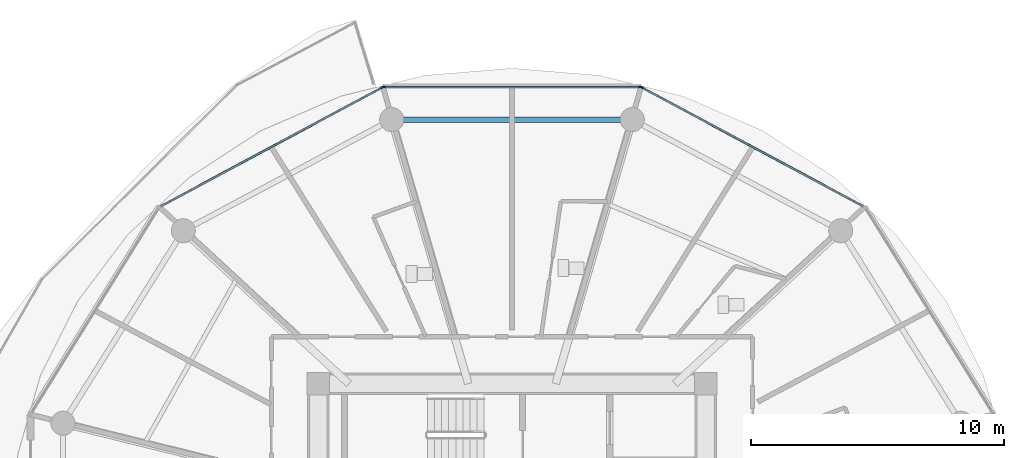
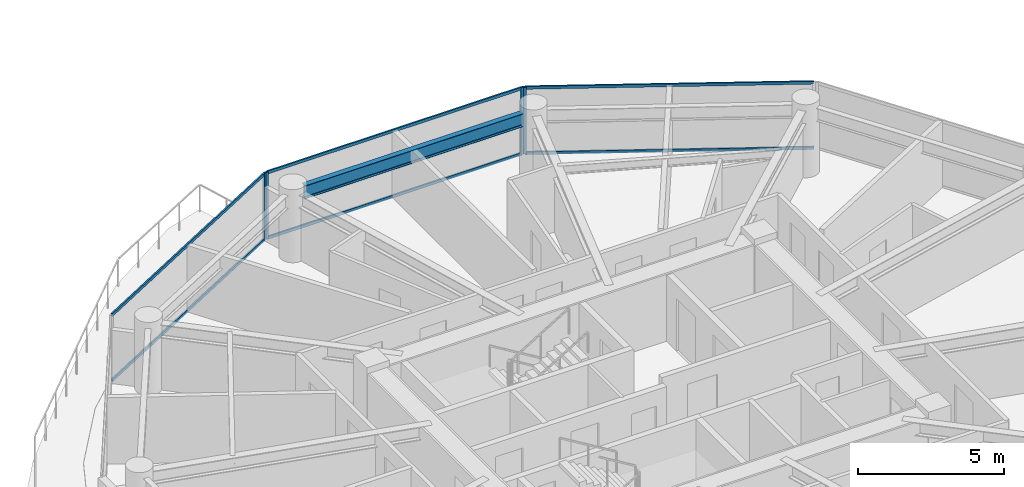
# One storey, part 9 of 27: 10 members, 1 beam, 3 elements without a shape of their own.
"""IFC4 building model written with IfcOpenShell, lengths in metres."""

import ifcopenshell
import ifcopenshell.guid

model = None  # the IFC model being written
_history = None  # IfcOwnerHistory: only IFC2X3 demands one
_inside = {}  # id of a spatial element -> (the spatial element, [elements in it])
_under = {}  # id of a project, library or spatial element -> (it, [spatial elements below it])
_declared = {}  # id of a project -> (the project, [libraries it declares])
_typed = {}  # id of a type object -> (the type object, [elements of that type])
_made_of = {}  # id of a material, layer set ... -> (it, [elements and type objects made of it])


def new_model(schema):
    """Start an empty IFC model of exactly this schema.

    Asked for "IFC4X3", IfcOpenShell would pick the latest addendum, in which some entities
    have other attributes; the version numbers below select the first issue.
    IFC2X3 requires an IfcOwnerHistory on every rooted entity: one is made here for all.
    """
    global model, _history
    if schema == "IFC4X3":
        model = ifcopenshell.file(schema_version=(4, 3, 0, 0))
    else:
        model = ifcopenshell.file(schema=schema)
    _inside.clear()
    _under.clear()
    _declared.clear()
    _typed.clear()
    _made_of.clear()
    _history = None
    if model.schema == "IFC2X3":
        org = make("IfcOrganization", Name="unknown")
        user = make(
            "IfcPersonAndOrganization",
            ThePerson=make("IfcPerson", FamilyName="unknown"),
            TheOrganization=org,
        )
        app = make(
            "IfcApplication",
            ApplicationDeveloper=org,
            Version="unknown",
            ApplicationFullName="unknown",
            ApplicationIdentifier="unknown",
        )
        _history = make(
            "IfcOwnerHistory",
            OwningUser=user,
            OwningApplication=app,
            ChangeAction="ADDED",
            CreationDate=0,
        )
    return model


def make(cls, **values):
    """One entity of the class cls with the attributes given. An attribute that is None is left unset."""
    return model.create_entity(
        cls, **{name: value for name, value in values.items() if value is not None}
    )


def rooted(cls, **values):
    """An entity with a GlobalId (a new one), such as an element, a storey or a relation."""
    return make(cls, GlobalId=ifcopenshell.guid.new(), OwnerHistory=_history, **values)


def si_unit(unit_type, name, prefix=None):
    """IfcSIUnit, for example si_unit("LENGTHUNIT", "METRE", prefix="MILLI")."""
    return make("IfcSIUnit", UnitType=unit_type, Prefix=prefix, Name=name)


def assignment(units):
    """IfcUnitAssignment: the units of a project."""
    return None if units is None else make("IfcUnitAssignment", Units=units)


def point(xyz):
    """IfcCartesianPoint."""
    return None if xyz is None else make("IfcCartesianPoint", Coordinates=xyz)


def direction(xyz):
    """IfcDirection."""
    return None if xyz is None else make("IfcDirection", DirectionRatios=xyz)


def frame(location, z_axis=None, x_axis=None):
    """IfcAxis2Placement3D, a coordinate frame: its origin and axes. An axis left out is left unset."""
    return make(
        "IfcAxis2Placement3D",
        Location=point(location),
        Axis=direction(z_axis),
        RefDirection=direction(x_axis),
    )


def frame_2d(location, x_axis=None):
    """IfcAxis2Placement2D, a coordinate frame in the plane: its origin and x axis."""
    return make(
        "IfcAxis2Placement2D", Location=point(location), RefDirection=direction(x_axis)
    )


def origin():
    """The frame at (0, 0, 0) with its axes left unset."""
    return frame((0.0, 0.0, 0.0))


def origin_2d():
    """The frame at (0, 0) in the plane with its x axis left unset."""
    return frame_2d((0.0, 0.0))


def place(relative_to, where):
    """IfcLocalPlacement: puts the frame where relative to a parent placement (None: the world)."""
    return make(
        "IfcLocalPlacement", PlacementRelTo=relative_to, RelativePlacement=where
    )


def context(
    kind, dimensions, precision=None, world=None, true_north=None, identifier=None
):
    """IfcGeometricRepresentationContext, for example the 3D "Model" context."""
    return make(
        "IfcGeometricRepresentationContext",
        ContextIdentifier=identifier,
        ContextType=kind,
        CoordinateSpaceDimension=dimensions,
        Precision=precision,
        WorldCoordinateSystem=world,
        TrueNorth=true_north,
    )


def subcontext(parent, identifier, kind, view, scale=None):
    """IfcGeometricRepresentationSubContext, for example "Body" below "Model"."""
    return make(
        "IfcGeometricRepresentationSubContext",
        ContextIdentifier=identifier,
        ContextType=kind,
        ParentContext=parent,
        TargetScale=scale,
        TargetView=view,
    )


def project(units=None, contexts=None):
    """IfcProject with its units and contexts."""
    return rooted(
        "IfcProject",
        Name="project",
        RepresentationContexts=contexts,
        UnitsInContext=assignment(units),
    )


def spatial(cls, under=None, at=None, **own):
    """A site, building, storey or space (cls), placed at a placement, below another one or the project."""
    s = rooted(cls, ObjectPlacement=at, **own)
    if under is not None:
        _under.setdefault(under.id(), (under, []))[1].append(s)
    return s


def profile(cls, at=None, kind="AREA", **sizes):
    """A parametric profile (cls). Its sizes go by their IFC names, for example OverallWidth=200.0."""
    return make(cls, ProfileType=kind, Position=at, **sizes)


def rectangle(**sizes):
    """IfcRectangleProfileDef."""
    return profile("IfcRectangleProfileDef", **sizes)


def i_section(**sizes):
    """IfcIShapeProfileDef."""
    return profile("IfcIShapeProfileDef", **sizes)


def extrude(swept, where, along, depth):
    """IfcExtrudedAreaSolid: the profile swept, set in the frame where, extruded along a direction by depth."""
    return make(
        "IfcExtrudedAreaSolid",
        SweptArea=swept,
        Position=where,
        ExtrudedDirection=direction(along),
        Depth=depth,
    )


def shape(context_of_items, identifier, shape_type, items):
    """IfcShapeRepresentation: the items that make up one representation, for example the "Body"."""
    return make(
        "IfcShapeRepresentation",
        ContextOfItems=context_of_items,
        RepresentationIdentifier=identifier,
        RepresentationType=shape_type,
        Items=items,
    )


def source(mapping_origin, context_of_items, identifier, shape_type, items):
    """IfcRepresentationMap: a shape defined once, which mapped items show again and again."""
    return make(
        "IfcRepresentationMap",
        MappingOrigin=mapping_origin,
        MappedRepresentation=shape(context_of_items, identifier, shape_type, items),
    )


def transform(
    local_origin,
    x_axis=None,
    y_axis=None,
    z_axis=None,
    scale=None,
    scale2=None,
    scale3=None,
    uniform=True,
):
    """IfcCartesianTransformationOperator3D, or its non-uniform kind. x_axis, y_axis, z_axis: its Axis1, 2, 3."""
    if uniform:
        return make(
            "IfcCartesianTransformationOperator3D",
            Axis1=direction(x_axis),
            Axis2=direction(y_axis),
            LocalOrigin=point(local_origin),
            Scale=scale,
            Axis3=direction(z_axis),
        )
    return make(
        "IfcCartesianTransformationOperator3DnonUniform",
        Axis1=direction(x_axis),
        Axis2=direction(y_axis),
        LocalOrigin=point(local_origin),
        Scale=scale,
        Axis3=direction(z_axis),
        Scale2=scale2,
        Scale3=scale3,
    )


def mapped(mapping_source, mapping_target):
    """IfcMappedItem: shows the shape of a source again, moved by a transform."""
    return make(
        "IfcMappedItem", MappingSource=mapping_source, MappingTarget=mapping_target
    )


def material(Name=None, Category=None):
    """IfcMaterial."""
    return make("IfcMaterial", Name=Name, Category=Category)


def layer(
    of_material, thickness, ventilated=None, Name=None, Category=None, Priority=None
):
    """IfcMaterialLayer: one layer of a wall or slab, of a material (None: an air gap)."""
    return make(
        "IfcMaterialLayer",
        Material=of_material,
        LayerThickness=thickness,
        IsVentilated=ventilated,
        Name=Name,
        Category=Category,
        Priority=Priority,
    )


def layer_set(layers, Name=None):
    """IfcMaterialLayerSet."""
    return make("IfcMaterialLayerSet", MaterialLayers=layers, LayerSetName=Name)


def material_profile(
    of_material, cross_section, Name=None, Category=None, Priority=None
):
    """IfcMaterialProfile: a cross section and its material."""
    return make(
        "IfcMaterialProfile",
        Name=Name,
        Material=of_material,
        Profile=cross_section,
        Priority=Priority,
        Category=Category,
    )


def profile_set(profiles, Name=None, composite=None):
    """IfcMaterialProfileSet."""
    return make(
        "IfcMaterialProfileSet",
        Name=Name,
        MaterialProfiles=profiles,
        CompositeProfile=composite,
    )


def made_of(thing, what):
    """Note that an element or type object is made of a material, layer set ...; save() writes the relation."""
    if what is not None:
        _made_of.setdefault(what.id(), (what, []))[1].append(thing)
    return thing


def type_object(cls, material=None, **own):
    """A type object (cls), such as IfcWallType, which elements share."""
    return made_of(rooted(cls, **own), material)


def type_shapes(of_type, sources):
    """Give a type object the sources (RepresentationMaps) that its elements show as mapped items."""
    of_type.RepresentationMaps = sources


def element(
    cls,
    number,
    at=None,
    inside=None,
    cuts=None,
    type_object=None,
    material=None,
    context=None,
    identifier="Body",
    shape_type=None,
    held_by="IfcProductDefinitionShape",
    body=None,
    shapes=None,
    **own,
):
    """One element of the class cls, such as IfcWall. Its Tag is "e" and its number.

    at: its placement. inside: the storey or other place that contains it. cuts: it is an
    opening in that element (IfcRelVoidsElement). A single representation is given by context,
    identifier, shape_type and body (its items); several are given by shapes. held_by: the class
    of the entity that holds the representations. save() writes the other relations.
    """
    e = rooted(cls, Tag="e%d" % number, ObjectPlacement=at, **own)
    if body is not None:
        shapes = [shape(context, identifier, shape_type, body)]
    if shapes is not None:
        e.Representation = make(held_by, Representations=shapes)
    if inside is not None:
        _inside.setdefault(inside.id(), (inside, []))[1].append(e)
    if cuts is not None:
        rooted(
            "IfcRelVoidsElement", RelatingBuildingElement=cuts, RelatedOpeningElement=e
        )
    if type_object is not None:
        _typed.setdefault(type_object.id(), (type_object, []))[1].append(e)
    return made_of(e, material)


def aggregate(whole, parts):
    """IfcRelAggregates: a whole, such as a stair, and the parts it consists of."""
    return rooted("IfcRelAggregates", RelatingObject=whole, RelatedObjects=parts)


def save(model, path):
    """Write the relations noted so far, then the file.

    IfcRelAggregates (storeys below a building ...), IfcRelContainedInSpatialStructure (elements
    in a storey), IfcRelDefinesByType, IfcRelAssociatesMaterial and IfcRelDeclares: one each for
    every whole, place, type object, material and project.
    """
    for whole, parts in _under.values():
        aggregate(whole, parts)
    for where, things in _inside.values():
        rooted(
            "IfcRelContainedInSpatialStructure",
            RelatedElements=things,
            RelatingStructure=where,
        )
    for kind, things in _typed.values():
        rooted("IfcRelDefinesByType", RelatedObjects=things, RelatingType=kind)
    for what, things in _made_of.values():
        rooted("IfcRelAssociatesMaterial", RelatedObjects=things, RelatingMaterial=what)
    for by, libraries in _declared.values():
        rooted("IfcRelDeclares", RelatingContext=by, RelatedDefinitions=libraries)
    model.write(path)


model = new_model("IFC4")

# Units and contexts
model_context = context("Model", 3, precision=1e-05, world=origin(), true_north=direction((0.0, 1.0)))
body_context = subcontext(model_context, "Body", "Model", "MODEL_VIEW")
ifc_project = project(units=[si_unit("LENGTHUNIT", "METRE"), si_unit("AREAUNIT", "SQUARE_METRE"), si_unit("VOLUMEUNIT", "CUBIC_METRE"), si_unit("PLANEANGLEUNIT", "RADIAN"), si_unit("MASSUNIT", "GRAM", prefix="KILO")], contexts=[model_context])

# Site, building, storey
site_placement = place(None, origin())
site = spatial("IfcSite", under=ifc_project, at=site_placement, CompositionType="ELEMENT")
building_placement = place(site_placement, origin())
building = spatial("IfcBuilding", under=site, at=building_placement, Name="Norrkilde Senior Care Towers", CompositionType="ELEMENT")
storey_placement = place(building_placement, frame((0.0, 0.0, 36.85009765625)))
storey = spatial("IfcBuildingStorey", under=building, at=storey_placement, Name="L10", CompositionType="ELEMENT", Elevation=36.85009765625)

# Beam
ifc_material_1 = material(Name="Steel S355", Category="steel")
ifc_material_profile_1 = material_profile(ifc_material_1, i_section(OverallWidth=0.2099609375, OverallDepth=0.550048828125, WebThickness=0.010986328125, FlangeThickness=0.01708984375, FilletRadius=0.02392578125, at=origin_2d()), Name="IPE 550")
ifc_profile_set_1 = profile_set([ifc_material_profile_1], Name="Steel S355")
beam_type = type_object("IfcBeamType", Name="Perimeter Ring Spandrel Z1 IPE550", PredefinedType="SPANDREL", material=ifc_profile_set_1)
shared_shape_1 = source(origin(), body_context, "Body", "SweptSolid", [
    extrude(i_section(OverallWidth=0.2099609375, OverallDepth=0.550048828125, WebThickness=0.010986328125, FlangeThickness=0.01708984375, FilletRadius=0.02392578125, at=origin_2d()), origin(), (0.0, 0.0, 1.0), 8.62841796875),
])
type_shapes(beam_type, [shared_shape_1])
beam_placement = place(storey_placement, frame((-23.685791015625, 16.37255859375, 2.514892578125), z_axis=(-1.0, 0.0, 0.0), x_axis=(0.0, -1.0, 0.0)))
element("IfcBeam", 1, at=beam_placement, inside=storey, type_object=beam_type, Name="L10 Drum W Perimeter Spandrel 03", PredefinedType="SPANDREL", context=body_context, shape_type="MappedRepresentation", body=[
    mapped(shared_shape_1, transform((0.0, 0.0, 0.0), x_axis=(1.0, 0.0, 0.0), y_axis=(0.0, 1.0, 0.0), z_axis=(0.0, 0.0, 1.0), scale=1.0)),
])

# Curtain wall, member
ifc_material_2 = material(Name="Triple Low-E Insulated Glazing", Category="glass")
ifc_layer = layer(ifc_material_2, 0.199951171875)
ifc_layer_set = layer_set([ifc_layer], Name="Triple Low-E Insulated Glazing")
curtain_wall_type = type_object("IfcCurtainWallType", Name="CW2 Zone 1 Memory Care Curtain Wall", PredefinedType="NOTDEFINED", material=ifc_layer_set)
curtain_wall_1_placement = place(storey_placement, origin())
curtain_wall_1 = element("IfcCurtainWall", 2, at=curtain_wall_1_placement, inside=storey, type_object=curtain_wall_type, Name="L10 Drum W Curtain Wall 01", PredefinedType="NOTDEFINED")
ifc_material_3 = material(Name="Anodised Aluminium", Category="aluminium")
ifc_material_profile_2 = material_profile(ifc_material_3, rectangle(XDim=0.06494140625, YDim=0.159912109375, at=origin_2d()), Name="ALU MULL 65x160")
ifc_profile_set_2 = profile_set([ifc_material_profile_2], Name="Anodised Aluminium")
member_type_1 = type_object("IfcMemberType", Name="Curtain Wall Mullion Z1-Z2 65x160", PredefinedType="MULLION", material=ifc_profile_set_2)
shared_shape_2 = source(origin(), body_context, "Body", "SweptSolid", [
    extrude(rectangle(XDim=0.06494140625, YDim=0.159912109375, at=origin_2d()), origin(), (0.0, 0.0, 1.0), 2.789794921875),
])
type_shapes(member_type_1, [shared_shape_2])
member_1_placement = place(storey_placement, frame((-22.877685546875, 17.641845703125, 0.0), z_axis=(0.0, 0.0, 1.0), x_axis=(0.472607802456, 0.881272866403, 0.0)))
member_1 = element("IfcMember", 3, at=member_1_placement, type_object=member_type_1, Name="CW-2 mullion 1", PredefinedType="MULLION", context=body_context, shape_type="MappedRepresentation", body=[
    mapped(shared_shape_2, transform((0.0, 0.0, 0.0), x_axis=(1.0, 0.0, 0.0), y_axis=(0.0, 1.0, 0.0), z_axis=(0.0, 0.0, 1.0), scale=1.0)),
])

# Curtain wall, members
curtain_wall_2_placement = place(storey_placement, origin())
curtain_wall_2 = element("IfcCurtainWall", 4, at=curtain_wall_2_placement, inside=storey, type_object=curtain_wall_type, Name="L10 Drum W Curtain Wall 02", PredefinedType="NOTDEFINED")
member_2_placement = place(storey_placement, frame((-33.06103515625, 17.6572265625, 0.0), z_axis=(0.0, 0.0, 1.0), x_axis=(0.0, 1.0, 0.0)))
member_2 = element("IfcMember", 5, at=member_2_placement, type_object=member_type_1, Name="CW-2 mullion 1", PredefinedType="MULLION", context=body_context, shape_type="MappedRepresentation", body=[
    mapped(shared_shape_2, transform((0.0, 0.0, 0.0), x_axis=(1.0, 0.0, 0.0), y_axis=(0.0, 1.0, 0.0), z_axis=(0.0, 0.0, 1.0), scale=1.0)),
])
member_3_placement = place(storey_placement, frame((-22.93896484375, 17.6572265625, 0.0), z_axis=(0.0, 0.0, 1.0), x_axis=(0.0, 1.0, 0.0)))
member_3 = element("IfcMember", 6, at=member_3_placement, type_object=member_type_1, Name="CW-2 mullion 2", PredefinedType="MULLION", context=body_context, shape_type="MappedRepresentation", body=[
    mapped(shared_shape_2, transform((0.0, 0.0, 0.0), x_axis=(1.0, 0.0, 0.0), y_axis=(0.0, 1.0, 0.0), z_axis=(0.0, 0.0, 1.0), scale=1.0)),
])

# Curtain wall, member
curtain_wall_3_placement = place(storey_placement, origin())
curtain_wall_3 = element("IfcCurtainWall", 7, at=curtain_wall_3_placement, inside=storey, type_object=curtain_wall_type, Name="L10 Drum W Curtain Wall 03", PredefinedType="NOTDEFINED")
member_4_placement = place(storey_placement, frame((-33.122314453125, 17.641845703125, 0.0), z_axis=(0.0, 0.0, 1.0), x_axis=(-0.472607802456, 0.881272866403, 0.0)))
member_4 = element("IfcMember", 8, at=member_4_placement, type_object=member_type_1, Name="CW-2 mullion 2", PredefinedType="MULLION", context=body_context, shape_type="MappedRepresentation", body=[
    mapped(shared_shape_2, transform((0.0, 0.0, 0.0), x_axis=(1.0, 0.0, 0.0), y_axis=(0.0, 1.0, 0.0), z_axis=(0.0, 0.0, 1.0), scale=1.0)),
])

# Member
ifc_material_profile_3 = material_profile(ifc_material_3, rectangle(XDim=0.06005859375, YDim=0.1201171875, at=origin_2d()), Name="ALU TRAN 60x120")
ifc_profile_set_3 = profile_set([ifc_material_profile_3], Name="Anodised Aluminium")
member_type_2 = type_object("IfcMemberType", Name="Curtain Wall Transom Typical 60x120", PredefinedType="USERDEFINED", material=ifc_profile_set_3)
shared_shape_3 = source(origin(), body_context, "Body", "SweptSolid", [
    extrude(rectangle(XDim=0.06005859375, YDim=0.1201171875, at=origin_2d()), origin(), (0.0, 0.0, 1.0), 9.880859375),
])
member_5_placement = place(storey_placement, frame((-22.84912109375, 17.62646484375, 0.02978515625), z_axis=(0.881267204043, -0.47261836092, 0.0), x_axis=(0.47261836092, 0.881267204043, 0.0)))
member_5 = element("IfcMember", 9, at=member_5_placement, type_object=member_type_2, Name="CW-2 transom 1.1", ObjectType="TRANSOM", PredefinedType="USERDEFINED", context=body_context, shape_type="MappedRepresentation", body=[
    mapped(shared_shape_3, transform((0.0, 0.0, 0.0), x_axis=(1.0, 0.0, 0.0), y_axis=(0.0, 1.0, 0.0), z_axis=(0.0, 0.0, 1.0), scale=1.0)),
])

member_6_placement = place(storey_placement, frame((-22.84912109375, 17.62646484375, 2.760009765625), z_axis=(0.881267204043, -0.47261836092, 0.0), x_axis=(0.47261836092, 0.881267204043, 0.0)))
member_6 = element("IfcMember", 10, at=member_6_placement, type_object=member_type_2, Name="CW-2 transom 1.2", ObjectType="TRANSOM", PredefinedType="USERDEFINED", context=body_context, shape_type="MappedRepresentation", body=[
    mapped(shared_shape_3, transform((0.0, 0.0, 0.0), x_axis=(1.0, 0.0, 0.0), y_axis=(0.0, 1.0, 0.0), z_axis=(0.0, 0.0, 1.0), scale=1.0)),
])

aggregate(curtain_wall_1, [member_1, member_5, member_6])

member_7_placement = place(storey_placement, frame((-41.858642578125, 12.95654296875, 0.02978515625), z_axis=(0.881267204043, 0.47261836092, 0.0), x_axis=(-0.47261836092, 0.881267204043, 0.0)))
member_7 = element("IfcMember", 11, at=member_7_placement, type_object=member_type_2, Name="CW-2 transom 1.1", ObjectType="TRANSOM", PredefinedType="USERDEFINED", context=body_context, shape_type="MappedRepresentation", body=[
    mapped(shared_shape_3, transform((0.0, 0.0, 0.0), x_axis=(1.0, 0.0, 0.0), y_axis=(0.0, 1.0, 0.0), z_axis=(0.0, 0.0, 1.0), scale=1.0)),
])

member_8_placement = place(storey_placement, frame((-41.858642578125, 12.95654296875, 2.760009765625), z_axis=(0.881267204043, 0.47261836092, 0.0), x_axis=(-0.47261836092, 0.881267204043, 0.0)))
member_8 = element("IfcMember", 12, at=member_8_placement, type_object=member_type_2, Name="CW-2 transom 1.2", ObjectType="TRANSOM", PredefinedType="USERDEFINED", context=body_context, shape_type="MappedRepresentation", body=[
    mapped(shared_shape_3, transform((0.0, 0.0, 0.0), x_axis=(1.0, 0.0, 0.0), y_axis=(0.0, 1.0, 0.0), z_axis=(0.0, 0.0, 1.0), scale=1.0)),
])

aggregate(curtain_wall_3, [member_4, member_7, member_8])

shared_shape_4 = source(origin(), body_context, "Body", "SweptSolid", [
    extrude(rectangle(XDim=0.06005859375, YDim=0.1201171875, at=origin_2d()), origin(), (0.0, 0.0, 1.0), 10.05712890625),
])
type_shapes(member_type_2, [shared_shape_3, shared_shape_4])
member_9_placement = place(storey_placement, frame((-33.028564453125, 17.6572265625, 0.02978515625), z_axis=(1.0, 0.0, 0.0), x_axis=(0.0, 1.0, 0.0)))
member_9 = element("IfcMember", 13, at=member_9_placement, type_object=member_type_2, Name="CW-2 transom 1.1", ObjectType="TRANSOM", PredefinedType="USERDEFINED", context=body_context, shape_type="MappedRepresentation", body=[
    mapped(shared_shape_4, transform((0.0, 0.0, 0.0), x_axis=(1.0, 0.0, 0.0), y_axis=(0.0, 1.0, 0.0), z_axis=(0.0, 0.0, 1.0), scale=1.0)),
])

member_10_placement = place(storey_placement, frame((-33.028564453125, 17.6572265625, 2.760009765625), z_axis=(1.0, 0.0, 0.0), x_axis=(0.0, 1.0, 0.0)))
member_10 = element("IfcMember", 14, at=member_10_placement, type_object=member_type_2, Name="CW-2 transom 1.2", ObjectType="TRANSOM", PredefinedType="USERDEFINED", context=body_context, shape_type="MappedRepresentation", body=[
    mapped(shared_shape_4, transform((0.0, 0.0, 0.0), x_axis=(1.0, 0.0, 0.0), y_axis=(0.0, 1.0, 0.0), z_axis=(0.0, 0.0, 1.0), scale=1.0)),
])

aggregate(curtain_wall_2, [member_2, member_3, member_9, member_10])

save(model, "model.ifc")
